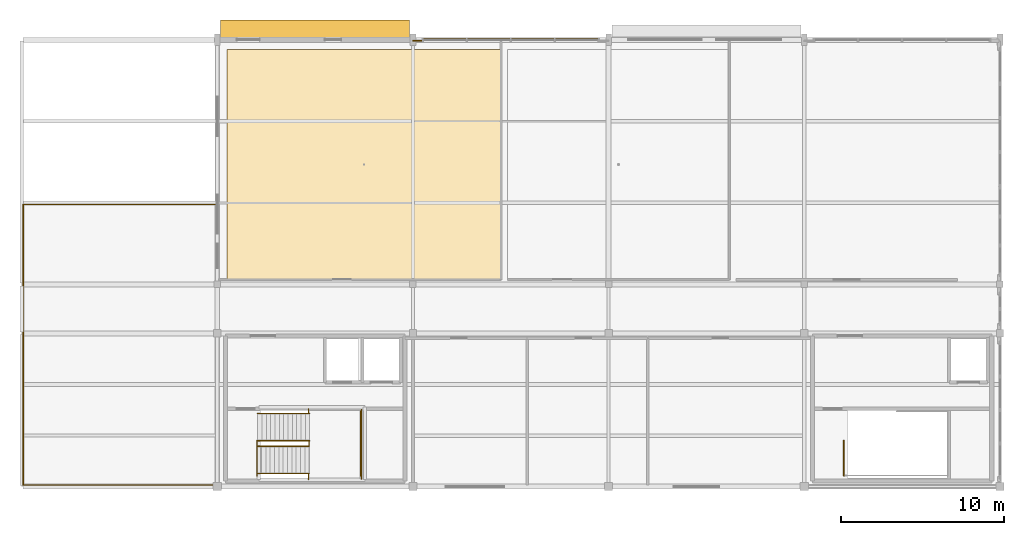
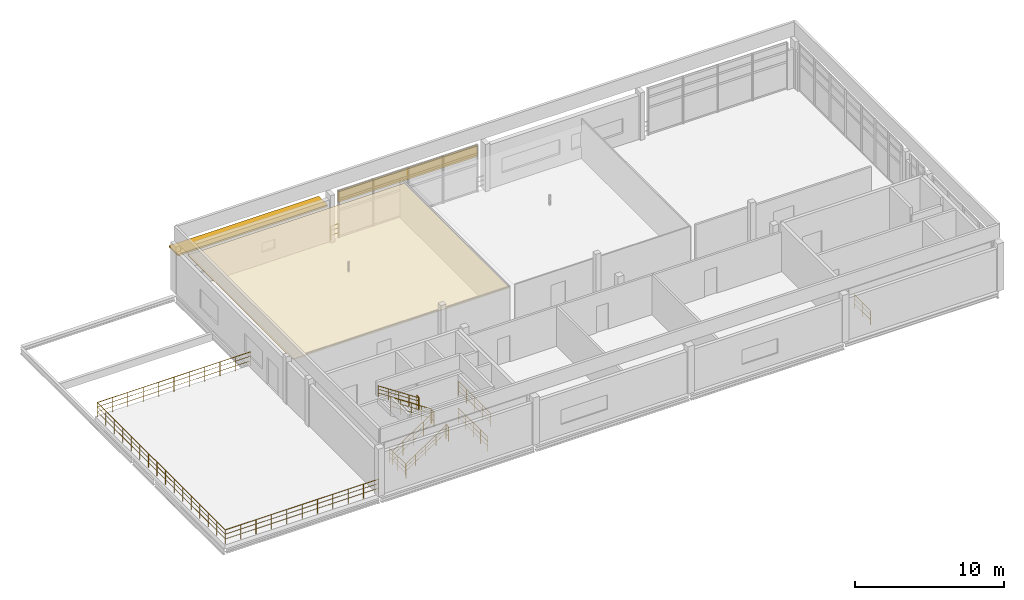
# One storey, part 8 of 9: 15 railings, 2 coverings, 1 shading device.
"""IFC4 building model written with IfcOpenShell, lengths in metres."""

from ifc_helpers import new_model, si_unit, direction, frame, origin, origin_2d, place, context, subcontext, project, spatial, rectangle, circle, extrude, material, layer, layer_set, type_object, element, save


model = new_model("IFC4")

# Units and contexts
model_context = context("Model", 3, precision=1e-05, world=origin(), true_north=direction((0.0, 1.0)))
body_context = subcontext(model_context, "Body", "Model", "MODEL_VIEW")
ifc_project = project(units=[si_unit("LENGTHUNIT", "METRE"), si_unit("AREAUNIT", "SQUARE_METRE"), si_unit("VOLUMEUNIT", "CUBIC_METRE"), si_unit("PLANEANGLEUNIT", "RADIAN"), si_unit("MASSUNIT", "GRAM", prefix="KILO"), si_unit("THERMODYNAMICTEMPERATUREUNIT", "KELVIN"), si_unit("POWERUNIT", "WATT")], contexts=[model_context])

# Site, building, storey
site_placement = place(None, origin())
site = spatial("IfcSite", under=ifc_project, at=site_placement, CompositionType="ELEMENT")
building_placement = place(site_placement, origin())
building = spatial("IfcBuilding", under=site, at=building_placement, Name="Solmara Park Aquatics Centre", CompositionType="ELEMENT")
storey_placement = place(building_placement, frame((0.0, 0.0, 18.60009765625)))
storey = spatial("IfcBuildingStorey", under=building, at=storey_placement, Name="L04", CompositionType="ELEMENT", Elevation=18.60009765625)

# Coverings
ifc_material_1 = material(Name="Perforated Anodised Bronze Solar Screen", Category="aluminium")
ifc_layer_1 = layer(ifc_material_1, 0.1201171875, Name="Perforated Anodised Bronze Solar Screen")
ifc_layer_set_1 = layer_set([ifc_layer_1], Name="Perforated Anodised Bronze Solar Screen")
covering_type_1 = type_object("IfcCoveringType", Name="ARC-COV-BRONZE", PredefinedType="CLADDING", material=ifc_layer_set_1)
covering_1_placement = place(storey_placement, frame((66.60009765625, 136.050048828125, 2.83984375), z_axis=(0.0, 0.0, 1.0), x_axis=(1.0, 0.0, 0.0)))
element("IfcCovering", 1, at=covering_1_placement, inside=storey, type_object=covering_type_1, Name="Perforated Bronze Solar Screen 012", PredefinedType="CLADDING", context=body_context, shape_type="SweptSolid", body=[
    extrude(rectangle(XDim=10.800048828125, YDim=0.1201171875, at=origin_2d()), origin(), (0.0, 0.0, 1.0), 0.89990234375),
])
ifc_material_2 = material(Name="Moisture-Resistant Perforated Acoustic Gypsum Ceiling", Category="gypsum")
ifc_layer_2 = layer(ifc_material_2, 0.0400390625, Name="Moisture-Resistant Perforated Acoustic Gypsum Ceiling")
ifc_layer_set_2 = layer_set([ifc_layer_2], Name="Moisture-Resistant Perforated Acoustic Gypsum Ceiling")
covering_type_2 = type_object("IfcCoveringType", Name="ARC-COV-CEIL", PredefinedType="CEILING", material=ifc_layer_set_2)
covering_2_placement = place(storey_placement, frame((57.60009765625, 128.35009765625, 3.079833984375), z_axis=(0.0, 0.0, 1.0), x_axis=(1.0, 0.0, 0.0)))
element("IfcCovering", 2, at=covering_2_placement, inside=storey, type_object=covering_type_2, Name="Acoustic Suspended Ceiling L04-BRC-01", PredefinedType="CEILING", context=body_context, shape_type="SweptSolid", body=[
    extrude(rectangle(XDim=16.800048828125, YDim=14.10009765625, at=origin_2d()), origin(), (0.0, 0.0, 1.0), 0.0400390625),
])

# Railings
ifc_material_3 = material(Name="Laminated Safety Glass and Stainless Steel Guardrail", Category="steel")
ifc_layer_3 = layer(ifc_material_3, 0.06005859375, Name="Laminated Safety Glass and Stainless Steel Guardrail")
ifc_layer_set_3 = layer_set([ifc_layer_3], Name="Laminated Safety Glass and Stainless Steel Guardrail")
railing_type_1 = type_object("IfcRailingType", Name="ARC-RL-BAL110", PredefinedType="GUARDRAIL", material=ifc_layer_set_3)
railing_1_placement = place(storey_placement, frame((36.699951171875, 108.699951171875, 0.0)))
element("IfcRailing", 3, at=railing_1_placement, inside=storey, type_object=railing_type_1, Name="Belvedere Terrace Guardrail RL-TER-L04-W", PredefinedType="GUARDRAIL", context=body_context, shape_type="SweptSolid", body=[
    extrude(circle(Radius=0.02392578125, at=origin_2d()), frame((0.0, 0.0, 1.15576171875), z_axis=(0.0, 1.0, 0.0), x_axis=(-1.0, 0.0, 0.0)), (0.0, 0.0, 1.0), 17.199951171875),
    extrude(circle(Radius=0.01416015625, at=origin_2d()), frame((0.0, 0.0, 0.4130859375), z_axis=(0.0, 1.0, 0.0), x_axis=(-1.0, 0.0, 0.0)), (0.0, 0.0, 1.0), 17.199951171875),
    extrude(circle(Radius=0.01416015625, at=origin_2d()), frame((0.0, 0.0, 0.80224609375), z_axis=(0.0, 1.0, 0.0), x_axis=(-1.0, 0.0, 0.0)), (0.0, 0.0, 1.0), 17.199951171875),
    extrude(circle(Radius=0.02099609375, at=origin_2d()), origin(), (0.0, 0.0, 1.0), 1.1318359375),
    extrude(circle(Radius=0.02099609375, at=origin_2d()), frame((0.0, 1.146728515625, 0.0)), (0.0, 0.0, 1.0), 1.1318359375),
    extrude(circle(Radius=0.02099609375, at=origin_2d()), frame((0.0, 2.293212890625, 0.0)), (0.0, 0.0, 1.0), 1.1318359375),
    extrude(circle(Radius=0.02099609375, at=origin_2d()), frame((0.0, 3.43994140625, 0.0)), (0.0, 0.0, 1.0), 1.1318359375),
    extrude(circle(Radius=0.02099609375, at=origin_2d()), frame((0.0, 4.586669921875, 0.0)), (0.0, 0.0, 1.0), 1.1318359375),
    extrude(circle(Radius=0.02099609375, at=origin_2d()), frame((0.0, 5.7333984375, 0.0)), (0.0, 0.0, 1.0), 1.1318359375),
    extrude(circle(Radius=0.02099609375, at=origin_2d()), frame((0.0, 6.8798828125, 0.0)), (0.0, 0.0, 1.0), 1.1318359375),
    extrude(circle(Radius=0.02099609375, at=origin_2d()), frame((0.0, 8.026611328125, 0.0)), (0.0, 0.0, 1.0), 1.1318359375),
    extrude(circle(Radius=0.02099609375, at=origin_2d()), frame((0.0, 9.17333984375, 0.0)), (0.0, 0.0, 1.0), 1.1318359375),
    extrude(circle(Radius=0.02099609375, at=origin_2d()), frame((0.0, 10.320068359375, 0.0)), (0.0, 0.0, 1.0), 1.1318359375),
    extrude(circle(Radius=0.02099609375, at=origin_2d()), frame((0.0, 11.466552734375, 0.0)), (0.0, 0.0, 1.0), 1.1318359375),
    extrude(circle(Radius=0.02099609375, at=origin_2d()), frame((0.0, 12.61328125, 0.0)), (0.0, 0.0, 1.0), 1.1318359375),
    extrude(circle(Radius=0.02099609375, at=origin_2d()), frame((0.0, 13.760009765625, 0.0)), (0.0, 0.0, 1.0), 1.1318359375),
    extrude(circle(Radius=0.02099609375, at=origin_2d()), frame((0.0, 14.90673828125, 0.0)), (0.0, 0.0, 1.0), 1.1318359375),
    extrude(circle(Radius=0.02099609375, at=origin_2d()), frame((0.0, 16.05322265625, 0.0)), (0.0, 0.0, 1.0), 1.1318359375),
    extrude(circle(Radius=0.02099609375, at=origin_2d()), frame((0.0, 17.199951171875, 0.0)), (0.0, 0.0, 1.0), 1.1318359375),
])
railing_2_placement = place(storey_placement, frame((36.699951171875, 108.699951171875, 0.0)))
element("IfcRailing", 4, at=railing_2_placement, inside=storey, type_object=railing_type_1, Name="Belvedere Terrace Guardrail RL-TER-L04-S", PredefinedType="GUARDRAIL", context=body_context, shape_type="SweptSolid", body=[
    extrude(circle(Radius=0.02392578125, at=origin_2d()), frame((0.0, 0.0, 1.15576171875), z_axis=(1.0, 0.0, 0.0), x_axis=(0.0, 1.0, 0.0)), (0.0, 0.0, 1.0), 11.900146484375),
    extrude(circle(Radius=0.01416015625, at=origin_2d()), frame((0.0, 0.0, 0.4130859375), z_axis=(1.0, 0.0, 0.0), x_axis=(0.0, 1.0, 0.0)), (0.0, 0.0, 1.0), 11.900146484375),
    extrude(circle(Radius=0.01416015625, at=origin_2d()), frame((0.0, 0.0, 0.80224609375), z_axis=(1.0, 0.0, 0.0), x_axis=(0.0, 1.0, 0.0)), (0.0, 0.0, 1.0), 11.900146484375),
    extrude(circle(Radius=0.02099609375, at=origin_2d()), origin(), (0.0, 0.0, 1.0), 1.1318359375),
    extrude(circle(Radius=0.02099609375, at=origin_2d()), frame((1.18994140625, 0.0, 0.0)), (0.0, 0.0, 1.0), 1.1318359375),
    extrude(circle(Radius=0.02099609375, at=origin_2d()), frame((2.380126953125, 0.0, 0.0)), (0.0, 0.0, 1.0), 1.1318359375),
    extrude(circle(Radius=0.02099609375, at=origin_2d()), frame((3.570068359375, 0.0, 0.0)), (0.0, 0.0, 1.0), 1.1318359375),
    extrude(circle(Radius=0.02099609375, at=origin_2d()), frame((4.760009765625, 0.0, 0.0)), (0.0, 0.0, 1.0), 1.1318359375),
    extrude(circle(Radius=0.02099609375, at=origin_2d()), frame((5.9501953125, 0.0, 0.0)), (0.0, 0.0, 1.0), 1.1318359375),
    extrude(circle(Radius=0.02099609375, at=origin_2d()), frame((7.14013671875, 0.0, 0.0)), (0.0, 0.0, 1.0), 1.1318359375),
    extrude(circle(Radius=0.02099609375, at=origin_2d()), frame((8.330078125, 0.0, 0.0)), (0.0, 0.0, 1.0), 1.1318359375),
    extrude(circle(Radius=0.02099609375, at=origin_2d()), frame((9.52001953125, 0.0, 0.0)), (0.0, 0.0, 1.0), 1.1318359375),
    extrude(circle(Radius=0.02099609375, at=origin_2d()), frame((10.710205078125, 0.0, 0.0)), (0.0, 0.0, 1.0), 1.1318359375),
    extrude(circle(Radius=0.02099609375, at=origin_2d()), frame((11.900146484375, 0.0, 0.0)), (0.0, 0.0, 1.0), 1.1318359375),
])
railing_3_placement = place(storey_placement, frame((36.699951171875, 125.89990234375, 0.0)))
element("IfcRailing", 5, at=railing_3_placement, inside=storey, type_object=railing_type_1, Name="Belvedere Terrace Guardrail RL-TER-L04-N", PredefinedType="GUARDRAIL", context=body_context, shape_type="SweptSolid", body=[
    extrude(circle(Radius=0.02392578125, at=origin_2d()), frame((0.0, 0.0, 1.15576171875), z_axis=(1.0, 0.0, 0.0), x_axis=(0.0, 1.0, 0.0)), (0.0, 0.0, 1.0), 11.900146484375),
    extrude(circle(Radius=0.01416015625, at=origin_2d()), frame((0.0, 0.0, 0.4130859375), z_axis=(1.0, 0.0, 0.0), x_axis=(0.0, 1.0, 0.0)), (0.0, 0.0, 1.0), 11.900146484375),
    extrude(circle(Radius=0.01416015625, at=origin_2d()), frame((0.0, 0.0, 0.80224609375), z_axis=(1.0, 0.0, 0.0), x_axis=(0.0, 1.0, 0.0)), (0.0, 0.0, 1.0), 11.900146484375),
    extrude(circle(Radius=0.02099609375, at=origin_2d()), origin(), (0.0, 0.0, 1.0), 1.1318359375),
    extrude(circle(Radius=0.02099609375, at=origin_2d()), frame((1.18994140625, 0.0, 0.0)), (0.0, 0.0, 1.0), 1.1318359375),
    extrude(circle(Radius=0.02099609375, at=origin_2d()), frame((2.380126953125, 0.0, 0.0)), (0.0, 0.0, 1.0), 1.1318359375),
    extrude(circle(Radius=0.02099609375, at=origin_2d()), frame((3.570068359375, 0.0, 0.0)), (0.0, 0.0, 1.0), 1.1318359375),
    extrude(circle(Radius=0.02099609375, at=origin_2d()), frame((4.760009765625, 0.0, 0.0)), (0.0, 0.0, 1.0), 1.1318359375),
    extrude(circle(Radius=0.02099609375, at=origin_2d()), frame((5.9501953125, 0.0, 0.0)), (0.0, 0.0, 1.0), 1.1318359375),
    extrude(circle(Radius=0.02099609375, at=origin_2d()), frame((7.14013671875, 0.0, 0.0)), (0.0, 0.0, 1.0), 1.1318359375),
    extrude(circle(Radius=0.02099609375, at=origin_2d()), frame((8.330078125, 0.0, 0.0)), (0.0, 0.0, 1.0), 1.1318359375),
    extrude(circle(Radius=0.02099609375, at=origin_2d()), frame((9.52001953125, 0.0, 0.0)), (0.0, 0.0, 1.0), 1.1318359375),
    extrude(circle(Radius=0.02099609375, at=origin_2d()), frame((10.710205078125, 0.0, 0.0)), (0.0, 0.0, 1.0), 1.1318359375),
    extrude(circle(Radius=0.02099609375, at=origin_2d()), frame((11.900146484375, 0.0, 0.0)), (0.0, 0.0, 1.0), 1.1318359375),
])
ifc_material_4 = material(Name="Brushed Marine-Grade Stainless Steel 316L Handrail", Category="steel")
ifc_layer_4 = layer(ifc_material_4, 0.044921875, Name="Brushed Marine-Grade Stainless Steel 316L Handrail")
ifc_layer_set_4 = layer_set([ifc_layer_4], Name="Brushed Marine-Grade Stainless Steel 316L Handrail")
railing_type_2 = type_object("IfcRailingType", Name="ARC-RL-HND090", PredefinedType="HANDRAIL", material=ifc_layer_set_4)
railing_4_placement = place(storey_placement, frame((51.050048828125, 109.409912109375, 0.161376953125)))
element("IfcRailing", 6, at=railing_4_placement, inside=storey, type_object=railing_type_2, Name="ST-01 Protected Exit Stair (L04 to RF) Flight 1 Outer Handrail", PredefinedType="HANDRAIL", context=body_context, shape_type="SweptSolid", body=[
    extrude(circle(Radius=0.02392578125, at=origin_2d()), frame((0.0, 0.0, 0.89599609375), z_axis=(0.834447378162, 0.0, 0.551087627405), x_axis=(0.0, 1.0, 0.0)), (0.0, 0.0, 1.0), 3.810791015625),
    extrude(circle(Radius=0.01416015625, at=origin_2d()), frame((0.0, 0.0, 0.322021484375), z_axis=(0.834447378162, 0.0, 0.551087627405), x_axis=(0.0, 1.0, 0.0)), (0.0, 0.0, 1.0), 3.810791015625),
    extrude(circle(Radius=0.01416015625, at=origin_2d()), frame((0.0, 0.0, 0.62548828125), z_axis=(0.834447378162, 0.0, 0.551087627405), x_axis=(0.0, 1.0, 0.0)), (0.0, 0.0, 1.0), 3.810791015625),
    extrude(circle(Radius=0.02099609375, at=origin_2d()), origin(), (0.0, 0.0, 1.0), 0.871826171875),
    extrude(circle(Radius=0.02099609375, at=origin_2d()), frame((0.794921875, 0.0, 0.52490234375)), (0.0, 0.0, 1.0), 0.871826171875),
    extrude(circle(Radius=0.02099609375, at=origin_2d()), frame((1.58984375, 0.0, 1.050048828125)), (0.0, 0.0, 1.0), 0.871826171875),
    extrude(circle(Radius=0.02099609375, at=origin_2d()), frame((2.385009765625, 0.0, 1.5751953125)), (0.0, 0.0, 1.0), 0.871826171875),
    extrude(circle(Radius=0.02099609375, at=origin_2d()), frame((3.179931640625, 0.0, 2.10009765625)), (0.0, 0.0, 1.0), 0.871826171875),
])
railing_5_placement = place(storey_placement, frame((54.260009765625, 113.090087890625, 2.261474609375)))
element("IfcRailing", 7, at=railing_5_placement, inside=storey, type_object=railing_type_2, Name="ST-01 Protected Exit Stair (L04 to RF) Flight 2 Outer Handrail", PredefinedType="HANDRAIL", context=body_context, shape_type="SweptSolid", body=[
    extrude(circle(Radius=0.02392578125, at=origin_2d()), frame((0.0, 0.0, 0.89599609375), z_axis=(-0.834476838559, 0.0, 0.551043016387), x_axis=(0.0, -1.0, 0.0)), (0.0, 0.0, 1.0), 3.810791015625),
    extrude(circle(Radius=0.01416015625, at=origin_2d()), frame((0.0, 0.0, 0.322021484375), z_axis=(-0.834476838559, 0.0, 0.551043016387), x_axis=(0.0, -1.0, 0.0)), (0.0, 0.0, 1.0), 3.810791015625),
    extrude(circle(Radius=0.01416015625, at=origin_2d()), frame((0.0, 0.0, 0.62548828125), z_axis=(-0.834476838559, 0.0, 0.551043016387), x_axis=(0.0, -1.0, 0.0)), (0.0, 0.0, 1.0), 3.810791015625),
    extrude(circle(Radius=0.02099609375, at=origin_2d()), origin(), (0.0, 0.0, 1.0), 0.871826171875),
    extrude(circle(Radius=0.02099609375, at=origin_2d()), frame((-0.794921875, 0.0, 0.52490234375)), (0.0, 0.0, 1.0), 0.871826171875),
    extrude(circle(Radius=0.02099609375, at=origin_2d()), frame((-1.58984375, 0.0, 1.0498046875)), (0.0, 0.0, 1.0), 0.871826171875),
    extrude(circle(Radius=0.02099609375, at=origin_2d()), frame((-2.385009765625, 0.0, 1.574951171875)), (0.0, 0.0, 1.0), 0.871826171875),
    extrude(circle(Radius=0.02099609375, at=origin_2d()), frame((-3.179931640625, 0.0, 2.099853515625)), (0.0, 0.0, 1.0), 0.871826171875),
])
ifc_material_5 = material(Name="Toughened Glass and Stainless Steel Stand Guardrail", Category="steel")
ifc_layer_5 = layer(ifc_material_5, 0.06005859375, Name="Toughened Glass and Stainless Steel Stand Guardrail")
ifc_layer_set_5 = layer_set([ifc_layer_5], Name="Toughened Glass and Stainless Steel Stand Guardrail")
railing_type_3 = type_object("IfcRailingType", Name="ARC-RL-STD110", PredefinedType="GUARDRAIL", material=ifc_layer_set_5)
railing_6_placement = place(storey_placement, frame((60.60009765625, 135.93994140625, 0.0)))
element("IfcRailing", 8, at=railing_6_placement, inside=storey, type_object=railing_type_3, Name="L04 Slab Edge Guardrail 116", PredefinedType="GUARDRAIL", context=body_context, shape_type="SweptSolid", body=[
    extrude(circle(Radius=0.02392578125, at=origin_2d()), frame((0.0, 0.0, 1.15576171875), z_axis=(1.0, 0.0, 0.0), x_axis=(0.0, 1.0, 0.0)), (0.0, 0.0, 1.0), 0.619873046875),
    extrude(circle(Radius=0.01416015625, at=origin_2d()), frame((0.0, 0.0, 0.4130859375), z_axis=(1.0, 0.0, 0.0), x_axis=(0.0, 1.0, 0.0)), (0.0, 0.0, 1.0), 0.619873046875),
    extrude(circle(Radius=0.01416015625, at=origin_2d()), frame((0.0, 0.0, 0.80224609375), z_axis=(1.0, 0.0, 0.0), x_axis=(0.0, 1.0, 0.0)), (0.0, 0.0, 1.0), 0.619873046875),
    extrude(circle(Radius=0.02099609375, at=origin_2d()), origin(), (0.0, 0.0, 1.0), 1.1318359375),
    extrude(circle(Radius=0.02099609375, at=origin_2d()), frame((0.619873046875, 0.0, 0.0)), (0.0, 0.0, 1.0), 1.1318359375),
])
ifc_material_6 = material(Name="Brushed Stainless Steel Guardrail", Category="steel")
ifc_layer_6 = layer(ifc_material_6, 0.050048828125, Name="Brushed Stainless Steel Guardrail")
ifc_layer_set_6 = layer_set([ifc_layer_6], Name="Brushed Stainless Steel Guardrail")
railing_type_4 = type_object("IfcRailingType", Name="ARC-RL-STR110", PredefinedType="GUARDRAIL", material=ifc_layer_set_6)
railing_7_placement = place(storey_placement, frame((51.030029296875, 109.27001953125, 0.0)))
element("IfcRailing", 9, at=railing_7_placement, inside=storey, type_object=railing_type_4, Name="ST-01 Protected Exit Stair (L03 to L04) Arrival Well Guardrail", PredefinedType="GUARDRAIL", context=body_context, shape_type="SweptSolid", body=[
    extrude(circle(Radius=0.02392578125, at=origin_2d()), frame((0.0, 0.0, 1.15576171875), z_axis=(0.0, 1.0, 0.0), x_axis=(-1.0, 0.0, 0.0)), (0.0, 0.0, 1.0), 2.169921875),
    extrude(circle(Radius=0.01416015625, at=origin_2d()), frame((0.0, 0.0, 0.4130859375), z_axis=(0.0, 1.0, 0.0), x_axis=(-1.0, 0.0, 0.0)), (0.0, 0.0, 1.0), 2.169921875),
    extrude(circle(Radius=0.01416015625, at=origin_2d()), frame((0.0, 0.0, 0.80224609375), z_axis=(0.0, 1.0, 0.0), x_axis=(-1.0, 0.0, 0.0)), (0.0, 0.0, 1.0), 2.169921875),
    extrude(circle(Radius=0.02099609375, at=origin_2d()), origin(), (0.0, 0.0, 1.0), 1.1318359375),
    extrude(circle(Radius=0.02099609375, at=origin_2d()), frame((0.0, 1.0849609375, 0.0)), (0.0, 0.0, 1.0), 1.1318359375),
    extrude(circle(Radius=0.02099609375, at=origin_2d()), frame((0.0, 2.169921875, 0.0)), (0.0, 0.0, 1.0), 1.1318359375),
])
railing_8_placement = place(storey_placement, frame((57.3798828125, 109.27001953125, 0.0)))
element("IfcRailing", 10, at=railing_8_placement, inside=storey, type_object=railing_type_4, Name="ST-01 Protected Exit Stair (L03 to L04) Far Well Edge Guardrail", PredefinedType="GUARDRAIL", context=body_context, shape_type="SweptSolid", body=[
    extrude(circle(Radius=0.02392578125, at=origin_2d()), frame((0.0, 0.0, 1.15576171875), z_axis=(0.0, 1.0, 0.0), x_axis=(-1.0, 0.0, 0.0)), (0.0, 0.0, 1.0), 3.9599609375),
    extrude(circle(Radius=0.01416015625, at=origin_2d()), frame((0.0, 0.0, 0.4130859375), z_axis=(0.0, 1.0, 0.0), x_axis=(-1.0, 0.0, 0.0)), (0.0, 0.0, 1.0), 3.9599609375),
    extrude(circle(Radius=0.01416015625, at=origin_2d()), frame((0.0, 0.0, 0.80224609375), z_axis=(0.0, 1.0, 0.0), x_axis=(-1.0, 0.0, 0.0)), (0.0, 0.0, 1.0), 3.9599609375),
    extrude(circle(Radius=0.02099609375, at=origin_2d()), origin(), (0.0, 0.0, 1.0), 1.1318359375),
    extrude(circle(Radius=0.02099609375, at=origin_2d()), frame((0.0, 0.989990234375, 0.0)), (0.0, 0.0, 1.0), 1.1318359375),
    extrude(circle(Radius=0.02099609375, at=origin_2d()), frame((0.0, 1.97998046875, 0.0)), (0.0, 0.0, 1.0), 1.1318359375),
    extrude(circle(Radius=0.02099609375, at=origin_2d()), frame((0.0, 2.969970703125, 0.0)), (0.0, 0.0, 1.0), 1.1318359375),
    extrude(circle(Radius=0.02099609375, at=origin_2d()), frame((0.0, 3.9599609375, 0.0)), (0.0, 0.0, 1.0), 1.1318359375),
])
railing_9_placement = place(storey_placement, frame((51.050048828125, 111.080078125, 0.0)))
element("IfcRailing", 11, at=railing_9_placement, inside=storey, type_object=railing_type_4, Name="ST-01 Protected Exit Stair (L04 to RF) Flight 1 Inner Guardrail", PredefinedType="GUARDRAIL", context=body_context, shape_type="SweptSolid", body=[
    extrude(circle(Radius=0.02392578125, at=origin_2d()), frame((0.0, 0.0, 1.15576171875), z_axis=(0.834476838559, 0.0, 0.551043016387), x_axis=(0.0, 1.0, 0.0)), (0.0, 0.0, 1.0), 3.810791015625),
    extrude(circle(Radius=0.01416015625, at=origin_2d()), frame((0.0, 0.0, 0.4130859375), z_axis=(0.834476838559, 0.0, 0.551043016387), x_axis=(0.0, 1.0, 0.0)), (0.0, 0.0, 1.0), 3.810791015625),
    extrude(circle(Radius=0.01416015625, at=origin_2d()), frame((0.0, 0.0, 0.80224609375), z_axis=(0.834476838559, 0.0, 0.551043016387), x_axis=(0.0, 1.0, 0.0)), (0.0, 0.0, 1.0), 3.810791015625),
    extrude(circle(Radius=0.02099609375, at=origin_2d()), origin(), (0.0, 0.0, 1.0), 1.1318359375),
    extrude(circle(Radius=0.02099609375, at=origin_2d()), frame((0.794921875, 0.0, 0.52490234375)), (0.0, 0.0, 1.0), 1.1318359375),
    extrude(circle(Radius=0.02099609375, at=origin_2d()), frame((1.58984375, 0.0, 1.0498046875)), (0.0, 0.0, 1.0), 1.1318359375),
    extrude(circle(Radius=0.02099609375, at=origin_2d()), frame((2.385009765625, 0.0, 1.574951171875)), (0.0, 0.0, 1.0), 1.1318359375),
    extrude(circle(Radius=0.02099609375, at=origin_2d()), frame((3.179931640625, 0.0, 2.099853515625)), (0.0, 0.0, 1.0), 1.1318359375),
])
railing_10_placement = place(storey_placement, frame((54.260009765625, 111.419921875, 2.099853515625)))
element("IfcRailing", 12, at=railing_10_placement, inside=storey, type_object=railing_type_4, Name="ST-01 Protected Exit Stair (L04 to RF) Flight 2 Inner Guardrail", PredefinedType="GUARDRAIL", context=body_context, shape_type="SweptSolid", body=[
    extrude(circle(Radius=0.02392578125, at=origin_2d()), frame((0.0, 0.0, 1.15576171875), z_axis=(-0.834447378162, 0.0, 0.551087627405), x_axis=(0.0, -1.0, 0.0)), (0.0, 0.0, 1.0), 3.810791015625),
    extrude(circle(Radius=0.01416015625, at=origin_2d()), frame((0.0, 0.0, 0.4130859375), z_axis=(-0.834447378162, 0.0, 0.551087627405), x_axis=(0.0, -1.0, 0.0)), (0.0, 0.0, 1.0), 3.810791015625),
    extrude(circle(Radius=0.01416015625, at=origin_2d()), frame((0.0, 0.0, 0.80224609375), z_axis=(-0.834447378162, 0.0, 0.551087627405), x_axis=(0.0, -1.0, 0.0)), (0.0, 0.0, 1.0), 3.810791015625),
    extrude(circle(Radius=0.02099609375, at=origin_2d()), origin(), (0.0, 0.0, 1.0), 1.1318359375),
    extrude(circle(Radius=0.02099609375, at=origin_2d()), frame((-0.794921875, 0.0, 0.52490234375)), (0.0, 0.0, 1.0), 1.1318359375),
    extrude(circle(Radius=0.02099609375, at=origin_2d()), frame((-1.58984375, 0.0, 1.050048828125)), (0.0, 0.0, 1.0), 1.1318359375),
    extrude(circle(Radius=0.02099609375, at=origin_2d()), frame((-2.385009765625, 0.0, 1.5751953125)), (0.0, 0.0, 1.0), 1.1318359375),
    extrude(circle(Radius=0.02099609375, at=origin_2d()), frame((-3.179931640625, 0.0, 2.10009765625)), (0.0, 0.0, 1.0), 1.1318359375),
])
railing_11_placement = place(storey_placement, frame((54.22998046875, 111.06005859375, 2.099853515625)))
element("IfcRailing", 13, at=railing_11_placement, inside=storey, type_object=railing_type_4, Name="ST-01 Protected Exit Stair (L04 to RF) Half-Landing Well Guardrail", PredefinedType="GUARDRAIL", context=body_context, shape_type="SweptSolid", body=[
    extrude(circle(Radius=0.02392578125, at=origin_2d()), frame((0.0, 0.0, 1.15576171875), z_axis=(0.0, 1.0, 0.0), x_axis=(-1.0, 0.0, 0.0)), (0.0, 0.0, 1.0), 0.3798828125),
    extrude(circle(Radius=0.01416015625, at=origin_2d()), frame((0.0, 0.0, 0.4130859375), z_axis=(0.0, 1.0, 0.0), x_axis=(-1.0, 0.0, 0.0)), (0.0, 0.0, 1.0), 0.3798828125),
    extrude(circle(Radius=0.01416015625, at=origin_2d()), frame((0.0, 0.0, 0.80224609375), z_axis=(0.0, 1.0, 0.0), x_axis=(-1.0, 0.0, 0.0)), (0.0, 0.0, 1.0), 0.3798828125),
    extrude(circle(Radius=0.02099609375, at=origin_2d()), origin(), (0.0, 0.0, 1.0), 1.1318359375),
    extrude(circle(Radius=0.02099609375, at=origin_2d()), frame((0.0, 0.3798828125, 0.0)), (0.0, 0.0, 1.0), 1.1318359375),
])
railing_12_placement = place(storey_placement, frame((54.199951171875, 109.0400390625, 2.099853515625)))
element("IfcRailing", 14, at=railing_12_placement, inside=storey, type_object=railing_type_4, Name="ST-01 Protected Exit Stair (L04 to RF) Half-Landing South Slot Guardrail", PredefinedType="GUARDRAIL", context=body_context, shape_type="SweptSolid", body=[
    extrude(circle(Radius=0.02392578125, at=origin_2d()), frame((0.0, 0.0, 1.15576171875), z_axis=(0.0, 1.0, 0.0), x_axis=(-1.0, 0.0, 0.0)), (0.0, 0.0, 1.0), 0.35986328125),
    extrude(circle(Radius=0.01416015625, at=origin_2d()), frame((0.0, 0.0, 0.4130859375), z_axis=(0.0, 1.0, 0.0), x_axis=(-1.0, 0.0, 0.0)), (0.0, 0.0, 1.0), 0.35986328125),
    extrude(circle(Radius=0.01416015625, at=origin_2d()), frame((0.0, 0.0, 0.80224609375), z_axis=(0.0, 1.0, 0.0), x_axis=(-1.0, 0.0, 0.0)), (0.0, 0.0, 1.0), 0.35986328125),
    extrude(circle(Radius=0.02099609375, at=origin_2d()), origin(), (0.0, 0.0, 1.0), 1.1318359375),
    extrude(circle(Radius=0.02099609375, at=origin_2d()), frame((0.0, 0.35986328125, 0.0)), (0.0, 0.0, 1.0), 1.1318359375),
])
railing_13_placement = place(storey_placement, frame((54.199951171875, 113.10009765625, 2.099853515625)))
element("IfcRailing", 15, at=railing_13_placement, inside=storey, type_object=railing_type_4, Name="ST-01 Protected Exit Stair (L04 to RF) Half-Landing North Slot Guardrail", PredefinedType="GUARDRAIL", context=body_context, shape_type="SweptSolid", body=[
    extrude(circle(Radius=0.02392578125, at=origin_2d()), frame((0.0, 0.0, 1.15576171875), z_axis=(0.0, 1.0, 0.0), x_axis=(-1.0, 0.0, 0.0)), (0.0, 0.0, 1.0), 0.260009765625),
    extrude(circle(Radius=0.01416015625, at=origin_2d()), frame((0.0, 0.0, 0.4130859375), z_axis=(0.0, 1.0, 0.0), x_axis=(-1.0, 0.0, 0.0)), (0.0, 0.0, 1.0), 0.260009765625),
    extrude(circle(Radius=0.01416015625, at=origin_2d()), frame((0.0, 0.0, 0.80224609375), z_axis=(0.0, 1.0, 0.0), x_axis=(-1.0, 0.0, 0.0)), (0.0, 0.0, 1.0), 0.260009765625),
    extrude(circle(Radius=0.02099609375, at=origin_2d()), origin(), (0.0, 0.0, 1.0), 1.1318359375),
    extrude(circle(Radius=0.02099609375, at=origin_2d()), frame((0.0, 0.260009765625, 0.0)), (0.0, 0.0, 1.0), 1.1318359375),
])
railing_14_placement = place(storey_placement, frame((57.449951171875, 109.06005859375, 2.099853515625)))
element("IfcRailing", 16, at=railing_14_placement, inside=storey, type_object=railing_type_4, Name="ST-01 Protected Exit Stair (L04 to RF) Half-Landing Outer Guardrail", PredefinedType="GUARDRAIL", context=body_context, shape_type="SweptSolid", body=[
    extrude(circle(Radius=0.02392578125, at=origin_2d()), frame((0.0, 0.0, 1.15576171875), z_axis=(0.0, 1.0, 0.0), x_axis=(-1.0, 0.0, 0.0)), (0.0, 0.0, 1.0), 4.280029296875),
    extrude(circle(Radius=0.01416015625, at=origin_2d()), frame((0.0, 0.0, 0.4130859375), z_axis=(0.0, 1.0, 0.0), x_axis=(-1.0, 0.0, 0.0)), (0.0, 0.0, 1.0), 4.280029296875),
    extrude(circle(Radius=0.01416015625, at=origin_2d()), frame((0.0, 0.0, 0.80224609375), z_axis=(0.0, 1.0, 0.0), x_axis=(-1.0, 0.0, 0.0)), (0.0, 0.0, 1.0), 4.280029296875),
    extrude(circle(Radius=0.02099609375, at=origin_2d()), origin(), (0.0, 0.0, 1.0), 1.1318359375),
    extrude(circle(Radius=0.02099609375, at=origin_2d()), frame((0.0, 1.070068359375, 0.0)), (0.0, 0.0, 1.0), 1.1318359375),
    extrude(circle(Radius=0.02099609375, at=origin_2d()), frame((0.0, 2.14013671875, 0.0)), (0.0, 0.0, 1.0), 1.1318359375),
    extrude(circle(Radius=0.02099609375, at=origin_2d()), frame((0.0, 3.2099609375, 0.0)), (0.0, 0.0, 1.0), 1.1318359375),
    extrude(circle(Radius=0.02099609375, at=origin_2d()), frame((0.0, 4.280029296875, 0.0)), (0.0, 0.0, 1.0), 1.1318359375),
])
railing_15_placement = place(storey_placement, frame((87.030029296875, 109.27001953125, 0.0)))
element("IfcRailing", 17, at=railing_15_placement, inside=storey, type_object=railing_type_4, Name="ST-02 Protected Exit Stair (L03 to L04) Arrival Well Guardrail", PredefinedType="GUARDRAIL", context=body_context, shape_type="SweptSolid", body=[
    extrude(circle(Radius=0.02392578125, at=origin_2d()), frame((0.0, 0.0, 1.15576171875), z_axis=(0.0, 1.0, 0.0), x_axis=(-1.0, 0.0, 0.0)), (0.0, 0.0, 1.0), 2.169921875),
    extrude(circle(Radius=0.01416015625, at=origin_2d()), frame((0.0, 0.0, 0.4130859375), z_axis=(0.0, 1.0, 0.0), x_axis=(-1.0, 0.0, 0.0)), (0.0, 0.0, 1.0), 2.169921875),
    extrude(circle(Radius=0.01416015625, at=origin_2d()), frame((0.0, 0.0, 0.80224609375), z_axis=(0.0, 1.0, 0.0), x_axis=(-1.0, 0.0, 0.0)), (0.0, 0.0, 1.0), 2.169921875),
    extrude(circle(Radius=0.02099609375, at=origin_2d()), origin(), (0.0, 0.0, 1.0), 1.1318359375),
    extrude(circle(Radius=0.02099609375, at=origin_2d()), frame((0.0, 1.0849609375, 0.0)), (0.0, 0.0, 1.0), 1.1318359375),
    extrude(circle(Radius=0.02099609375, at=origin_2d()), frame((0.0, 2.169921875, 0.0)), (0.0, 0.0, 1.0), 1.1318359375),
])

# Shading device
ifc_material_7 = material(Name="Anodised Bronze Aluminium", Category="aluminium")
shading_device_type = type_object("IfcShadingDeviceType", Name="ARC-SHD-EYE1200", PredefinedType="USERDEFINED", material=ifc_material_7)
shading_device_placement = place(storey_placement, frame((54.60009765625, 136.6201171875, 2.77978515625), z_axis=(0.0, 0.0, 1.0), x_axis=(1.0, 0.0, 0.0)))
element("IfcShadingDevice", 18, at=shading_device_placement, inside=storey, type_object=shading_device_type, Name="Streamline Sun-Shading Eyebrow 016", ObjectType="SUNSHADE", PredefinedType="USERDEFINED", context=body_context, shape_type="SweptSolid", body=[
    extrude(rectangle(XDim=11.60009765625, YDim=1.199951171875, at=origin_2d()), origin(), (0.0, 0.0, 1.0), 0.139892578125),
])

save(model, "model.ifc")
